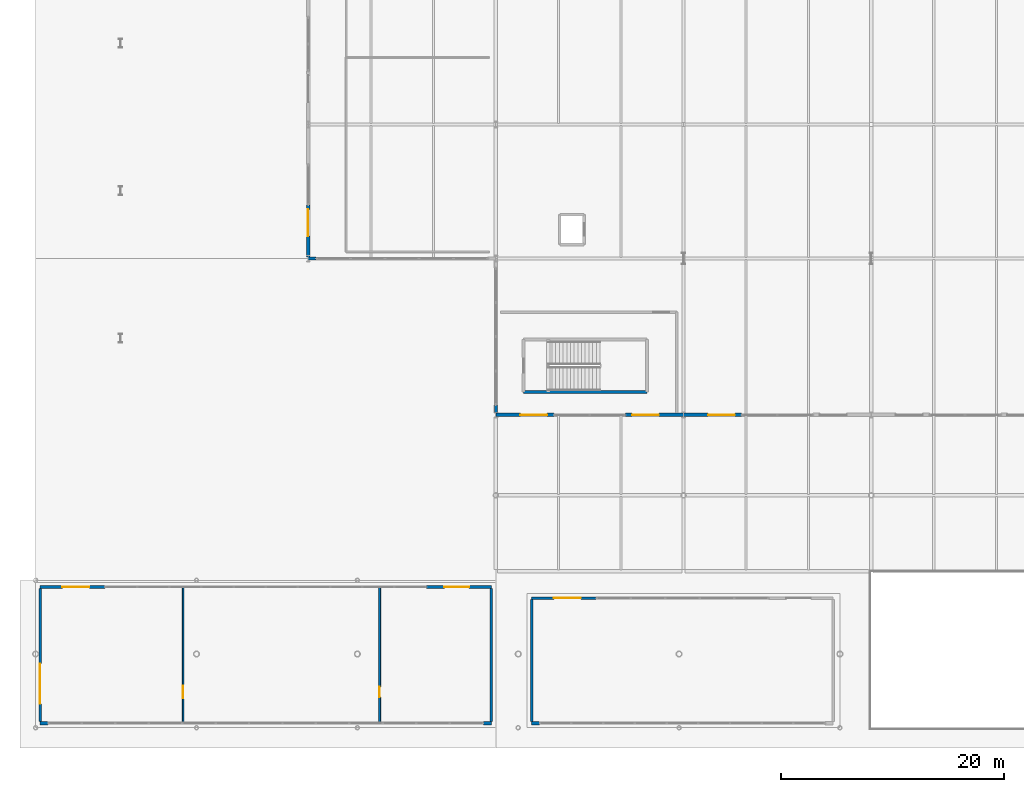
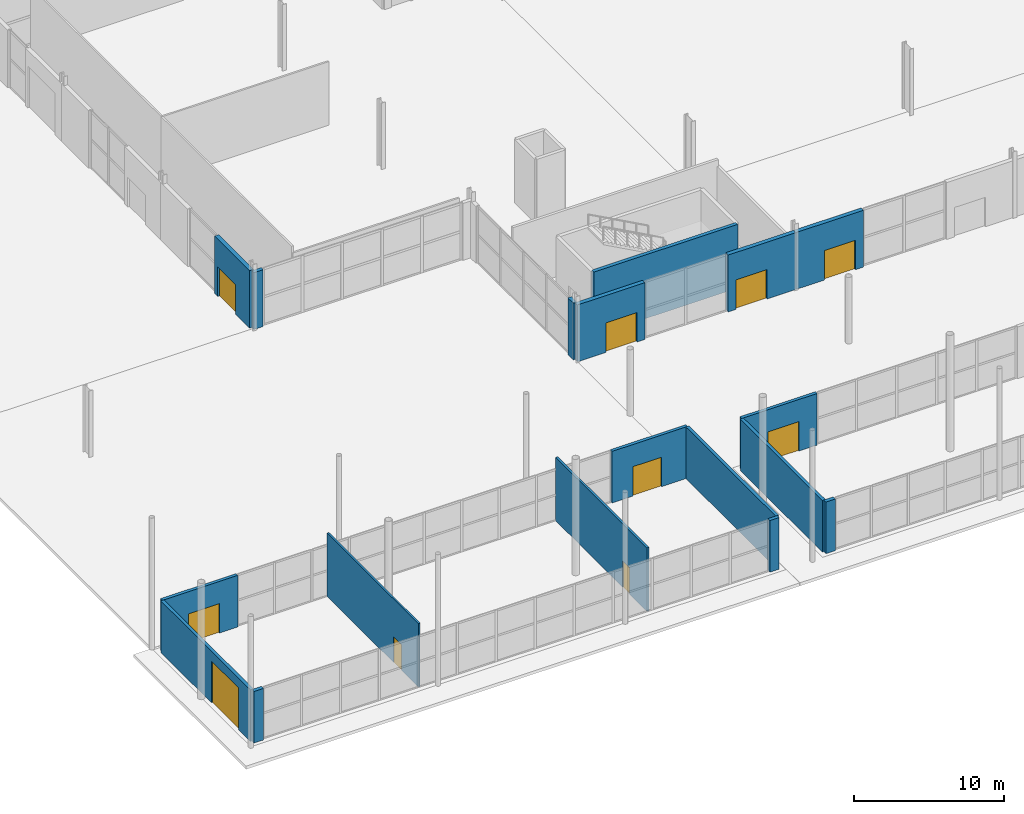
# One storey, part 60 of 87: 18 walls, 10 doors, 10 openings.
"""IFC4 building model written with IfcOpenShell, lengths in metres."""

import ifcopenshell
import ifcopenshell.guid

model = None  # the IFC model being written
_history = None  # IfcOwnerHistory: only IFC2X3 demands one
_inside = {}  # id of a spatial element -> (the spatial element, [elements in it])
_under = {}  # id of a project, library or spatial element -> (it, [spatial elements below it])
_declared = {}  # id of a project -> (the project, [libraries it declares])
_typed = {}  # id of a type object -> (the type object, [elements of that type])
_made_of = {}  # id of a material, layer set ... -> (it, [elements and type objects made of it])


def new_model(schema):
    """Start an empty IFC model of exactly this schema.

    Asked for "IFC4X3", IfcOpenShell would pick the latest addendum, in which some entities
    have other attributes; the version numbers below select the first issue.
    IFC2X3 requires an IfcOwnerHistory on every rooted entity: one is made here for all.
    """
    global model, _history
    if schema == "IFC4X3":
        model = ifcopenshell.file(schema_version=(4, 3, 0, 0))
    else:
        model = ifcopenshell.file(schema=schema)
    _inside.clear()
    _under.clear()
    _declared.clear()
    _typed.clear()
    _made_of.clear()
    _history = None
    if model.schema == "IFC2X3":
        org = make("IfcOrganization", Name="unknown")
        user = make(
            "IfcPersonAndOrganization",
            ThePerson=make("IfcPerson", FamilyName="unknown"),
            TheOrganization=org,
        )
        app = make(
            "IfcApplication",
            ApplicationDeveloper=org,
            Version="unknown",
            ApplicationFullName="unknown",
            ApplicationIdentifier="unknown",
        )
        _history = make(
            "IfcOwnerHistory",
            OwningUser=user,
            OwningApplication=app,
            ChangeAction="ADDED",
            CreationDate=0,
        )
    return model


def make(cls, **values):
    """One entity of the class cls with the attributes given. An attribute that is None is left unset."""
    return model.create_entity(
        cls, **{name: value for name, value in values.items() if value is not None}
    )


def rooted(cls, **values):
    """An entity with a GlobalId (a new one), such as an element, a storey or a relation."""
    return make(cls, GlobalId=ifcopenshell.guid.new(), OwnerHistory=_history, **values)


def si_unit(unit_type, name, prefix=None):
    """IfcSIUnit, for example si_unit("LENGTHUNIT", "METRE", prefix="MILLI")."""
    return make("IfcSIUnit", UnitType=unit_type, Prefix=prefix, Name=name)


def assignment(units):
    """IfcUnitAssignment: the units of a project."""
    return None if units is None else make("IfcUnitAssignment", Units=units)


def point(xyz):
    """IfcCartesianPoint."""
    return None if xyz is None else make("IfcCartesianPoint", Coordinates=xyz)


def direction(xyz):
    """IfcDirection."""
    return None if xyz is None else make("IfcDirection", DirectionRatios=xyz)


def frame(location, z_axis=None, x_axis=None):
    """IfcAxis2Placement3D, a coordinate frame: its origin and axes. An axis left out is left unset."""
    return make(
        "IfcAxis2Placement3D",
        Location=point(location),
        Axis=direction(z_axis),
        RefDirection=direction(x_axis),
    )


def frame_2d(location, x_axis=None):
    """IfcAxis2Placement2D, a coordinate frame in the plane: its origin and x axis."""
    return make(
        "IfcAxis2Placement2D", Location=point(location), RefDirection=direction(x_axis)
    )


def origin():
    """The frame at (0, 0, 0) with its axes left unset."""
    return frame((0.0, 0.0, 0.0))


def place(relative_to, where):
    """IfcLocalPlacement: puts the frame where relative to a parent placement (None: the world)."""
    return make(
        "IfcLocalPlacement", PlacementRelTo=relative_to, RelativePlacement=where
    )


def context(
    kind, dimensions, precision=None, world=None, true_north=None, identifier=None
):
    """IfcGeometricRepresentationContext, for example the 3D "Model" context."""
    return make(
        "IfcGeometricRepresentationContext",
        ContextIdentifier=identifier,
        ContextType=kind,
        CoordinateSpaceDimension=dimensions,
        Precision=precision,
        WorldCoordinateSystem=world,
        TrueNorth=true_north,
    )


def subcontext(parent, identifier, kind, view, scale=None):
    """IfcGeometricRepresentationSubContext, for example "Body" below "Model"."""
    return make(
        "IfcGeometricRepresentationSubContext",
        ContextIdentifier=identifier,
        ContextType=kind,
        ParentContext=parent,
        TargetScale=scale,
        TargetView=view,
    )


def project(units=None, contexts=None):
    """IfcProject with its units and contexts."""
    return rooted(
        "IfcProject",
        Name="project",
        RepresentationContexts=contexts,
        UnitsInContext=assignment(units),
    )


def spatial(cls, under=None, at=None, **own):
    """A site, building, storey or space (cls), placed at a placement, below another one or the project."""
    s = rooted(cls, ObjectPlacement=at, **own)
    if under is not None:
        _under.setdefault(under.id(), (under, []))[1].append(s)
    return s


def profile(cls, at=None, kind="AREA", **sizes):
    """A parametric profile (cls). Its sizes go by their IFC names, for example OverallWidth=200.0."""
    return make(cls, ProfileType=kind, Position=at, **sizes)


def rectangle(**sizes):
    """IfcRectangleProfileDef."""
    return profile("IfcRectangleProfileDef", **sizes)


def extrude(swept, where, along, depth):
    """IfcExtrudedAreaSolid: the profile swept, set in the frame where, extruded along a direction by depth."""
    return make(
        "IfcExtrudedAreaSolid",
        SweptArea=swept,
        Position=where,
        ExtrudedDirection=direction(along),
        Depth=depth,
    )


def shape(context_of_items, identifier, shape_type, items):
    """IfcShapeRepresentation: the items that make up one representation, for example the "Body"."""
    return make(
        "IfcShapeRepresentation",
        ContextOfItems=context_of_items,
        RepresentationIdentifier=identifier,
        RepresentationType=shape_type,
        Items=items,
    )


def material(Name=None, Category=None):
    """IfcMaterial."""
    return make("IfcMaterial", Name=Name, Category=Category)


def layer(
    of_material, thickness, ventilated=None, Name=None, Category=None, Priority=None
):
    """IfcMaterialLayer: one layer of a wall or slab, of a material (None: an air gap)."""
    return make(
        "IfcMaterialLayer",
        Material=of_material,
        LayerThickness=thickness,
        IsVentilated=ventilated,
        Name=Name,
        Category=Category,
        Priority=Priority,
    )


def layer_set(layers, Name=None):
    """IfcMaterialLayerSet."""
    return make("IfcMaterialLayerSet", MaterialLayers=layers, LayerSetName=Name)


def made_of(thing, what):
    """Note that an element or type object is made of a material, layer set ...; save() writes the relation."""
    if what is not None:
        _made_of.setdefault(what.id(), (what, []))[1].append(thing)
    return thing


def type_object(cls, material=None, **own):
    """A type object (cls), such as IfcWallType, which elements share."""
    return made_of(rooted(cls, **own), material)


def element(
    cls,
    number,
    at=None,
    inside=None,
    cuts=None,
    type_object=None,
    material=None,
    context=None,
    identifier="Body",
    shape_type=None,
    held_by="IfcProductDefinitionShape",
    body=None,
    shapes=None,
    **own,
):
    """One element of the class cls, such as IfcWall. Its Tag is "e" and its number.

    at: its placement. inside: the storey or other place that contains it. cuts: it is an
    opening in that element (IfcRelVoidsElement). A single representation is given by context,
    identifier, shape_type and body (its items); several are given by shapes. held_by: the class
    of the entity that holds the representations. save() writes the other relations.
    """
    e = rooted(cls, Tag="e%d" % number, ObjectPlacement=at, **own)
    if body is not None:
        shapes = [shape(context, identifier, shape_type, body)]
    if shapes is not None:
        e.Representation = make(held_by, Representations=shapes)
    if inside is not None:
        _inside.setdefault(inside.id(), (inside, []))[1].append(e)
    if cuts is not None:
        rooted(
            "IfcRelVoidsElement", RelatingBuildingElement=cuts, RelatedOpeningElement=e
        )
    if type_object is not None:
        _typed.setdefault(type_object.id(), (type_object, []))[1].append(e)
    return made_of(e, material)


def fill(opening, filler):
    """IfcRelFillsElement: the door or window that sits in an opening."""
    return rooted(
        "IfcRelFillsElement",
        RelatingOpeningElement=opening,
        RelatedBuildingElement=filler,
    )


def aggregate(whole, parts):
    """IfcRelAggregates: a whole, such as a stair, and the parts it consists of."""
    return rooted("IfcRelAggregates", RelatingObject=whole, RelatedObjects=parts)


def save(model, path):
    """Write the relations noted so far, then the file.

    IfcRelAggregates (storeys below a building ...), IfcRelContainedInSpatialStructure (elements
    in a storey), IfcRelDefinesByType, IfcRelAssociatesMaterial and IfcRelDeclares: one each for
    every whole, place, type object, material and project.
    """
    for whole, parts in _under.values():
        aggregate(whole, parts)
    for where, things in _inside.values():
        rooted(
            "IfcRelContainedInSpatialStructure",
            RelatedElements=things,
            RelatingStructure=where,
        )
    for kind, things in _typed.values():
        rooted("IfcRelDefinesByType", RelatedObjects=things, RelatingType=kind)
    for what, things in _made_of.values():
        rooted("IfcRelAssociatesMaterial", RelatedObjects=things, RelatingMaterial=what)
    for by, libraries in _declared.values():
        rooted("IfcRelDeclares", RelatingContext=by, RelatedDefinitions=libraries)
    model.write(path)


model = new_model("IFC4")

# Units and contexts
model_context = context("Model", 3, precision=1e-05, world=origin(), true_north=direction((0.0, 1.0)))
body_context = subcontext(model_context, "Body", "Model", "MODEL_VIEW")
ifc_project = project(units=[si_unit("LENGTHUNIT", "METRE"), si_unit("AREAUNIT", "SQUARE_METRE"), si_unit("VOLUMEUNIT", "CUBIC_METRE"), si_unit("PLANEANGLEUNIT", "RADIAN"), si_unit("MASSUNIT", "GRAM", prefix="KILO")], contexts=[model_context])

# Site, building, storey
site_placement = place(None, origin())
site = spatial("IfcSite", under=ifc_project, at=site_placement, CompositionType="ELEMENT")
building_placement = place(site_placement, origin())
building = spatial("IfcBuilding", under=site, at=building_placement, Name="Kimbaza Rail Terminus", CompositionType="ELEMENT")
storey_placement = place(building_placement, origin())
storey = spatial("IfcBuildingStorey", under=building, at=storey_placement, Name="L00", CompositionType="ELEMENT", Elevation=0.0)

# Wall, opening, door
ifc_material_1 = material(Name="Concrete blockwork C30/37", Category="masonry")
ifc_layer_1 = layer(ifc_material_1, 0.239990234375)
ifc_layer_set_1 = layer_set([ifc_layer_1], Name="Concrete blockwork C30/37")
wall_type_1 = type_object("IfcWallType", Name="ARC-WL-EXT240", PredefinedType="STANDARD", material=ifc_layer_set_1)
wall_1_placement = place(storey_placement, frame((14.39990234375, 25.60009765625, 0.0), z_axis=(0.0, 0.0, 1.0), x_axis=(1.0, 0.0, 0.0)))
wall_1 = element("IfcWall", 1, at=wall_1_placement, inside=storey, type_object=wall_type_1, Name="Bus Dispatch Hub North Wall A", PredefinedType="STANDARD", context=body_context, shape_type="SweptSolid", body=[
    extrude(rectangle(XDim=5.800048828125, YDim=0.239990234375, at=frame_2d((2.89990234375, 0.0))), origin(), (0.0, 0.0, 1.0), 4.199951171875),
])
opening_1_placement = place(wall_1_placement, frame((2.0, 0.0, 0.0)))
opening_1 = element("IfcOpeningElement", 2, at=opening_1_placement, cuts=wall_1, Name="Opening D-EX1", PredefinedType="OPENING", context=body_context, shape_type="SweptSolid", body=[
    extrude(rectangle(XDim=2.39990234375, YDim=2.39990234375, at=frame_2d((1.199951171875, 1.199951171875))), frame((0.0, 0.1298828125, 0.0), z_axis=(0.0, -1.0, 0.0), x_axis=(1.0, 0.0, 0.0)), (0.0, 0.0, 1.0), 0.260009765625),
])
ifc_material_2 = material(Name="Anodised aluminium and toughened safety glass", Category="aluminium")
door_type_1 = type_object("IfcDoorType", Name="ARC-DR-EX240", OperationType="NOTDEFINED", PredefinedType="DOOR", material=ifc_material_2)
door_1_placement = place(opening_1_placement, origin())
door_1 = element("IfcDoor", 3, at=door_1_placement, inside=storey, type_object=door_type_1, Name="DR-EX-K1A", OperationType="SINGLE_SWING_LEFT", OverallHeight=2.39990234375, OverallWidth=2.39990234375, PredefinedType="DOOR", context=body_context, shape_type="SweptSolid", body=[
    extrude(rectangle(XDim=2.39990234375, YDim=2.39990234375, at=frame_2d((1.199951171875, 1.199951171875))), frame((0.0, 0.02490234375, 0.0), z_axis=(0.0, -1.0, 0.0), x_axis=(1.0, 0.0, 0.0)), (0.0, 0.0, 1.0), 0.050048828125),
])
fill(opening_1, door_1)

wall_2_placement = place(storey_placement, frame((49.0, 25.60009765625, 0.0), z_axis=(0.0, 0.0, 1.0), x_axis=(1.0, 0.0, 0.0)))
wall_2 = element("IfcWall", 4, at=wall_2_placement, inside=storey, type_object=wall_type_1, Name="Bus Dispatch Hub North Wall B", PredefinedType="STANDARD", context=body_context, shape_type="SweptSolid", body=[
    extrude(rectangle(XDim=5.800048828125, YDim=0.239990234375, at=frame_2d((2.89990234375, 0.0))), origin(), (0.0, 0.0, 1.0), 4.199951171875),
])
opening_2_placement = place(wall_2_placement, frame((1.60009765625, 0.0, 0.0)))
opening_2 = element("IfcOpeningElement", 5, at=opening_2_placement, cuts=wall_2, Name="Opening D-EX2", PredefinedType="OPENING", context=body_context, shape_type="SweptSolid", body=[
    extrude(rectangle(XDim=2.199951171875, YDim=2.39990234375, at=frame_2d((1.10009765625, 1.199951171875))), frame((0.0, 0.1298828125, 0.0), z_axis=(0.0, -1.0, 0.0), x_axis=(1.0, 0.0, 0.0)), (0.0, 0.0, 1.0), 0.260009765625),
])
ifc_material_3 = material(Name="Anodised aluminium and toughened safety glass", Category="aluminium")
door_type_2 = type_object("IfcDoorType", Name="ARC-DR-EX220", OperationType="NOTDEFINED", PredefinedType="DOOR", material=ifc_material_3)
door_2_placement = place(opening_2_placement, origin())
door_2 = element("IfcDoor", 6, at=door_2_placement, inside=storey, type_object=door_type_2, Name="DR-EX-K1B", OperationType="SINGLE_SWING_RIGHT", OverallHeight=2.39990234375, OverallWidth=2.199951171875, PredefinedType="DOOR", context=body_context, shape_type="SweptSolid", body=[
    extrude(rectangle(XDim=2.199951171875, YDim=2.39990234375, at=frame_2d((1.10009765625, 1.199951171875))), frame((0.0, 0.02490234375, 0.0), z_axis=(0.0, -1.0, 0.0), x_axis=(1.0, 0.0, 0.0)), (0.0, 0.0, 1.0), 0.050048828125),
])
fill(opening_2, door_2)

wall_3_placement = place(storey_placement, frame((14.39990234375, 13.5400390625, 0.0), z_axis=(0.0, 0.0, 1.0), x_axis=(0.0, 1.0, 0.0)))
wall_3 = element("IfcWall", 7, at=wall_3_placement, inside=storey, type_object=wall_type_1, Name="Bus Dispatch Hub West Wall", PredefinedType="STANDARD", context=body_context, shape_type="SweptSolid", body=[
    extrude(rectangle(XDim=11.93994140625, YDim=0.239990234375, at=frame_2d((5.969970703125, 0.0))), origin(), (0.0, 0.0, 1.0), 4.199951171875),
])
opening_3_placement = place(wall_3_placement, frame((1.60009765625, 0.0, 0.0)))
opening_3 = element("IfcOpeningElement", 8, at=opening_3_placement, cuts=wall_3, Name="Opening D-GT2", PredefinedType="OPENING", context=body_context, shape_type="SweptSolid", body=[
    extrude(rectangle(XDim=3.60009765625, YDim=3.39990234375, at=frame_2d((1.800048828125, 1.699951171875))), frame((0.0, 0.1298828125, 0.0), z_axis=(0.0, -1.0, 0.0), x_axis=(1.0, 0.0, 0.0)), (0.0, 0.0, 1.0), 0.260009765625),
])
ifc_material_4 = material(Name="Galvanised steel baggage service shutter", Category="steel")
door_type_3 = type_object("IfcDoorType", Name="ARC-DR-GAT36", OperationType="NOTDEFINED", PredefinedType="GATE", material=ifc_material_4)
door_3_placement = place(opening_3_placement, origin())
door_3 = element("IfcDoor", 9, at=door_3_placement, inside=storey, type_object=door_type_3, Name="DR-GAT-V3BUS", OperationType="ROLLINGUP", OverallHeight=3.39990234375, OverallWidth=3.60009765625, PredefinedType="GATE", context=body_context, shape_type="SweptSolid", body=[
    extrude(rectangle(XDim=3.60009765625, YDim=3.39990234375, at=frame_2d((1.800048828125, 1.699951171875))), frame((0.0, 0.02490234375, 0.0), z_axis=(0.0, -1.0, 0.0), x_axis=(1.0, 0.0, 0.0)), (0.0, 0.0, 1.0), 0.050048828125),
])
fill(opening_3, door_3)

# Wall
wall_4_placement = place(storey_placement, frame((54.800048828125, 13.5400390625, 0.0), z_axis=(0.0, 0.0, 1.0), x_axis=(0.0, 1.0, 0.0)))
element("IfcWall", 10, at=wall_4_placement, inside=storey, type_object=wall_type_1, Name="Bus Dispatch Hub East Wall", PredefinedType="STANDARD", context=body_context, shape_type="SweptSolid", body=[
    extrude(rectangle(XDim=11.93994140625, YDim=0.239990234375, at=frame_2d((5.969970703125, 0.0))), origin(), (0.0, 0.0, 1.0), 4.199951171875),
])

# Wall, opening, door
wall_5_placement = place(storey_placement, frame((58.39990234375, 24.60009765625, 0.0), z_axis=(0.0, 0.0, 1.0), x_axis=(1.0, 0.0, 0.0)))
wall_5 = element("IfcWall", 11, at=wall_5_placement, inside=storey, type_object=wall_type_1, Name="Taxi Waiting Pavilion North Wall A", PredefinedType="STANDARD", context=body_context, shape_type="SweptSolid", body=[
    extrude(rectangle(XDim=5.800048828125, YDim=0.239990234375, at=frame_2d((2.89990234375, 0.0))), origin(), (0.0, 0.0, 1.0), 4.199951171875),
])
opening_4_placement = place(wall_5_placement, frame((2.0, 0.0, 0.0)))
opening_4 = element("IfcOpeningElement", 12, at=opening_4_placement, cuts=wall_5, Name="Opening D-EX1", PredefinedType="OPENING", context=body_context, shape_type="SweptSolid", body=[
    extrude(rectangle(XDim=2.39990234375, YDim=2.39990234375, at=frame_2d((1.199951171875, 1.199951171875))), frame((0.0, 0.1298828125, 0.0), z_axis=(0.0, -1.0, 0.0), x_axis=(1.0, 0.0, 0.0)), (0.0, 0.0, 1.0), 0.260009765625),
])
door_4_placement = place(opening_4_placement, origin())
door_4 = element("IfcDoor", 13, at=door_4_placement, inside=storey, type_object=door_type_1, Name="DR-EX-K2A", OperationType="SINGLE_SWING_LEFT", OverallHeight=2.39990234375, OverallWidth=2.39990234375, PredefinedType="DOOR", context=body_context, shape_type="SweptSolid", body=[
    extrude(rectangle(XDim=2.39990234375, YDim=2.39990234375, at=frame_2d((1.199951171875, 1.199951171875))), frame((0.0, 0.02490234375, 0.0), z_axis=(0.0, -1.0, 0.0), x_axis=(1.0, 0.0, 0.0)), (0.0, 0.0, 1.0), 0.050048828125),
])
fill(opening_4, door_4)

# Walls
wall_6_placement = place(storey_placement, frame((58.39990234375, 13.5400390625, 0.0), z_axis=(0.0, 0.0, 1.0), x_axis=(0.0, 1.0, 0.0)))
element("IfcWall", 14, at=wall_6_placement, inside=storey, type_object=wall_type_1, Name="Taxi Waiting Pavilion West Wall", PredefinedType="STANDARD", context=body_context, shape_type="SweptSolid", body=[
    extrude(rectangle(XDim=10.93994140625, YDim=0.239990234375, at=frame_2d((5.469970703125, 0.0))), origin(), (0.0, 0.0, 1.0), 4.199951171875),
])
ifc_material_5 = material(Name="Precast concrete C40/50", Category="concrete")
ifc_layer_2 = layer(ifc_material_5, 0.280029296875)
ifc_layer_set_2 = layer_set([ifc_layer_2], Name="Precast concrete C40/50")
wall_type_2 = type_object("IfcWallType", Name="ARC-WL-EXT280", PredefinedType="STANDARD", material=ifc_layer_set_2)
wall_7_placement = place(storey_placement, frame((55.199951171875, 41.159912109375, 0.0), z_axis=(0.0, 0.0, 1.0), x_axis=(0.0, 1.0, 0.0)))
element("IfcWall", 15, at=wall_7_placement, inside=storey, type_object=wall_type_2, Name="Concourse W Return Curtain Wall L00 Corner Pier A", PredefinedType="STANDARD", context=body_context, shape_type="SweptSolid", body=[
    extrude(rectangle(XDim=0.719970703125, YDim=0.280029296875, at=frame_2d((0.35986328125, 0.0))), origin(), (0.0, 0.0, 1.0), 4.625),
])
wall_8_placement = place(storey_placement, frame((38.39990234375, 55.0, 0.0), z_axis=(0.0, 0.0, 1.0), x_axis=(1.0, 0.0, 0.0)))
element("IfcWall", 16, at=wall_8_placement, inside=storey, type_object=wall_type_2, Name="Ticket Hall Wing W Curtain Wall L00.1 Corner Pier A", PredefinedType="STANDARD", context=body_context, shape_type="SweptSolid", body=[
    extrude(rectangle(XDim=0.72021484375, YDim=0.280029296875, at=frame_2d((0.360107421875, 0.0))), origin(), (0.0, 0.0, 1.0), 4.625),
])
wall_9_placement = place(storey_placement, frame((14.39990234375, 13.39990234375, 0.0), z_axis=(0.0, 0.0, 1.0), x_axis=(1.0, 0.0, 0.0)))
element("IfcWall", 17, at=wall_9_placement, inside=storey, type_object=wall_type_2, Name="Bus Dispatch Hub South Curtain Wall Corner Pier A", PredefinedType="STANDARD", context=body_context, shape_type="SweptSolid", body=[
    extrude(rectangle(XDim=0.72021484375, YDim=0.280029296875, at=frame_2d((0.360107421875, 0.0))), origin(), (0.0, 0.0, 1.0), 4.199951171875),
])
wall_10_placement = place(storey_placement, frame((54.080078125, 13.39990234375, 0.0), z_axis=(0.0, 0.0, 1.0), x_axis=(1.0, 0.0, 0.0)))
element("IfcWall", 18, at=wall_10_placement, inside=storey, type_object=wall_type_2, Name="Bus Dispatch Hub South Curtain Wall Corner Pier B", PredefinedType="STANDARD", context=body_context, shape_type="SweptSolid", body=[
    extrude(rectangle(XDim=0.719970703125, YDim=0.280029296875, at=frame_2d((0.35986328125, 0.0))), origin(), (0.0, 0.0, 1.0), 4.199951171875),
])
wall_11_placement = place(storey_placement, frame((58.39990234375, 13.39990234375, 0.0), z_axis=(0.0, 0.0, 1.0), x_axis=(1.0, 0.0, 0.0)))
element("IfcWall", 19, at=wall_11_placement, inside=storey, type_object=wall_type_2, Name="Taxi Waiting Pavilion South Curtain Wall Corner Pier A", PredefinedType="STANDARD", context=body_context, shape_type="SweptSolid", body=[
    extrude(rectangle(XDim=0.72021484375, YDim=0.280029296875, at=frame_2d((0.360107421875, 0.0))), origin(), (0.0, 0.0, 1.0), 4.199951171875),
])

# Wall, opening, door
ifc_material_6 = material(Name="Precast concrete C40/50", Category="concrete")
ifc_layer_3 = layer(ifc_material_6, 0.320068359375)
ifc_layer_set_3 = layer_set([ifc_layer_3], Name="Precast concrete C40/50")
wall_type_3 = type_object("IfcWallType", Name="ARC-WL-EXT320", PredefinedType="STANDARD", material=ifc_layer_set_3)
wall_12_placement = place(storey_placement, frame((55.199951171875, 41.0, 0.0), z_axis=(0.0, 0.0, 1.0), x_axis=(1.0, 0.0, 0.0)))
wall_12 = element("IfcWall", 20, at=wall_12_placement, inside=storey, type_object=wall_type_3, Name="South Concourse Entrance Portal 1A", PredefinedType="STANDARD", context=body_context, shape_type="SweptSolid", body=[
    extrude(rectangle(XDim=5.199951171875, YDim=0.320068359375, at=frame_2d((2.60009765625, 0.0))), origin(), (0.0, 0.0, 1.0), 4.625),
])
opening_5_placement = place(wall_12_placement, frame((4.599853515625, 0.0, 0.0), z_axis=(0.0, 0.0, 1.0), x_axis=(-1.0, 0.0, 0.0)))
opening_5 = element("IfcOpeningElement", 21, at=opening_5_placement, cuts=wall_12, Name="Opening D-EX1", PredefinedType="OPENING", context=body_context, shape_type="SweptSolid", body=[
    extrude(rectangle(XDim=2.39990234375, YDim=2.39990234375, at=frame_2d((1.199951171875, 1.199951171875))), frame((0.0, 0.169921875, 0.0), z_axis=(0.0, -1.0, 0.0), x_axis=(1.0, 0.0, 0.0)), (0.0, 0.0, 1.0), 0.340087890625),
])
door_5_placement = place(opening_5_placement, origin())
door_5 = element("IfcDoor", 22, at=door_5_placement, inside=storey, type_object=door_type_1, Name="DR-EX-S01", OperationType="SINGLE_SWING_RIGHT", OverallHeight=2.39990234375, OverallWidth=2.39990234375, PredefinedType="DOOR", context=body_context, shape_type="SweptSolid", body=[
    extrude(rectangle(XDim=2.39990234375, YDim=2.39990234375, at=frame_2d((1.199951171875, 1.199951171875))), frame((0.0, 0.02490234375, 0.0), z_axis=(0.0, -1.0, 0.0), x_axis=(1.0, 0.0, 0.0)), (0.0, 0.0, 1.0), 0.050048828125),
])
fill(opening_5, door_5)

wall_13_placement = place(storey_placement, frame((66.800048828125, 41.0, 0.0), z_axis=(0.0, 0.0, 1.0), x_axis=(1.0, 0.0, 0.0)))
wall_13 = element("IfcWall", 23, at=wall_13_placement, inside=storey, type_object=wall_type_3, Name="South Concourse Entrance Portal 1B", PredefinedType="STANDARD", context=body_context, shape_type="SweptSolid", body=[
    extrude(rectangle(XDim=5.199951171875, YDim=0.320068359375, at=frame_2d((2.60009765625, 0.0))), origin(), (0.0, 0.0, 1.0), 4.625),
])
opening_6_placement = place(wall_13_placement, frame((3.0, 0.0, 0.0), z_axis=(0.0, 0.0, 1.0), x_axis=(-1.0, 0.0, 0.0)))
opening_6 = element("IfcOpeningElement", 24, at=opening_6_placement, cuts=wall_13, Name="Opening D-EX1", PredefinedType="OPENING", context=body_context, shape_type="SweptSolid", body=[
    extrude(rectangle(XDim=2.39990234375, YDim=2.39990234375, at=frame_2d((1.199951171875, 1.199951171875))), frame((0.0, 0.169921875, 0.0), z_axis=(0.0, -1.0, 0.0), x_axis=(1.0, 0.0, 0.0)), (0.0, 0.0, 1.0), 0.340087890625),
])
door_6_placement = place(opening_6_placement, origin())
door_6 = element("IfcDoor", 25, at=door_6_placement, inside=storey, type_object=door_type_1, Name="DR-EX-S02", OperationType="SINGLE_SWING_LEFT", OverallHeight=2.39990234375, OverallWidth=2.39990234375, PredefinedType="DOOR", context=body_context, shape_type="SweptSolid", body=[
    extrude(rectangle(XDim=2.39990234375, YDim=2.39990234375, at=frame_2d((1.199951171875, 1.199951171875))), frame((0.0, 0.02490234375, 0.0), z_axis=(0.0, -1.0, 0.0), x_axis=(1.0, 0.0, 0.0)), (0.0, 0.0, 1.0), 0.050048828125),
])
fill(opening_6, door_6)

wall_14_placement = place(storey_placement, frame((72.0, 41.0, 0.0), z_axis=(0.0, 0.0, 1.0), x_axis=(1.0, 0.0, 0.0)))
wall_14 = element("IfcWall", 26, at=wall_14_placement, inside=storey, type_object=wall_type_3, Name="South Concourse Entrance Portal 2A", PredefinedType="STANDARD", context=body_context, shape_type="SweptSolid", body=[
    extrude(rectangle(XDim=5.199951171875, YDim=0.320068359375, at=frame_2d((2.60009765625, 0.0))), origin(), (0.0, 0.0, 1.0), 4.625),
])
opening_7_placement = place(wall_14_placement, frame((4.599853515625, 0.0, 0.0), z_axis=(0.0, 0.0, 1.0), x_axis=(-1.0, 0.0, 0.0)))
opening_7 = element("IfcOpeningElement", 27, at=opening_7_placement, cuts=wall_14, Name="Opening D-EX1", PredefinedType="OPENING", context=body_context, shape_type="SweptSolid", body=[
    extrude(rectangle(XDim=2.39990234375, YDim=2.39990234375, at=frame_2d((1.199951171875, 1.199951171875))), frame((0.0, 0.169921875, 0.0), z_axis=(0.0, -1.0, 0.0), x_axis=(1.0, 0.0, 0.0)), (0.0, 0.0, 1.0), 0.340087890625),
])
door_7_placement = place(opening_7_placement, origin())
door_7 = element("IfcDoor", 28, at=door_7_placement, inside=storey, type_object=door_type_1, Name="DR-EX-S03", OperationType="SINGLE_SWING_RIGHT", OverallHeight=2.39990234375, OverallWidth=2.39990234375, PredefinedType="DOOR", context=body_context, shape_type="SweptSolid", body=[
    extrude(rectangle(XDim=2.39990234375, YDim=2.39990234375, at=frame_2d((1.199951171875, 1.199951171875))), frame((0.0, 0.02490234375, 0.0), z_axis=(0.0, -1.0, 0.0), x_axis=(1.0, 0.0, 0.0)), (0.0, 0.0, 1.0), 0.050048828125),
])
fill(opening_7, door_7)

wall_15_placement = place(storey_placement, frame((38.39990234375, 55.139892578125, 0.0), z_axis=(0.0, 0.0, 1.0), x_axis=(0.0, 1.0, 0.0)))
wall_15 = element("IfcWall", 29, at=wall_15_placement, inside=storey, type_object=wall_type_3, Name="Ticket Hall W Flank Wall L00.1", PredefinedType="STANDARD", context=body_context, shape_type="SweptSolid", body=[
    extrude(rectangle(XDim=4.66015625, YDim=0.320068359375, at=frame_2d((2.330078125, 0.0))), origin(), (0.0, 0.0, 1.0), 4.675048828125),
])
opening_8_placement = place(wall_15_placement, frame((1.860107421875, 0.0, 0.0)))
opening_8 = element("IfcOpeningElement", 30, at=opening_8_placement, cuts=wall_15, Name="Opening D-EX1", PredefinedType="OPENING", context=body_context, shape_type="SweptSolid", body=[
    extrude(rectangle(XDim=2.39990234375, YDim=2.39990234375, at=frame_2d((1.199951171875, 1.199951171875))), frame((0.0, 0.169921875, 0.0), z_axis=(0.0, -1.0, 0.0), x_axis=(1.0, 0.0, 0.0)), (0.0, 0.0, 1.0), 0.340087890625),
])
door_8_placement = place(opening_8_placement, origin())
door_8 = element("IfcDoor", 31, at=door_8_placement, inside=storey, type_object=door_type_1, Name="DR-EX-W1", OperationType="SINGLE_SWING_RIGHT", OverallHeight=2.39990234375, OverallWidth=2.39990234375, PredefinedType="DOOR", context=body_context, shape_type="SweptSolid", body=[
    extrude(rectangle(XDim=2.39990234375, YDim=2.39990234375, at=frame_2d((1.199951171875, 1.199951171875))), frame((0.0, 0.02490234375, 0.0), z_axis=(0.0, -1.0, 0.0), x_axis=(1.0, 0.0, 0.0)), (0.0, 0.0, 1.0), 0.050048828125),
])
fill(opening_8, door_8)

ifc_material_7 = material(Name="Acoustic gypsum stud partition", Category="gypsum")
ifc_layer_4 = layer(ifc_material_7, 0.139892578125)
ifc_layer_set_4 = layer_set([ifc_layer_4], Name="Acoustic gypsum stud partition")
wall_type_4 = type_object("IfcWallType", Name="ARC-WL-PART140", PredefinedType="PARTITIONING", material=ifc_layer_set_4)
wall_16_placement = place(storey_placement, frame((27.199951171875, 13.419921875, 0.0), z_axis=(0.0, 0.0, 1.0), x_axis=(0.0, 1.0, 0.0)))
wall_16 = element("IfcWall", 32, at=wall_16_placement, inside=storey, type_object=wall_type_4, Name="Bus Rapid Transit Dispatch Office Partition (east)", PredefinedType="PARTITIONING", context=body_context, shape_type="SweptSolid", body=[
    extrude(rectangle(XDim=12.16015625, YDim=0.139892578125, at=frame_2d((6.080078125, 0.0))), origin(), (0.0, 0.0, 1.0), 5.159912109375),
])
opening_9_placement = place(wall_16_placement, frame((2.239990234375, 0.0, 0.0)))
opening_9 = element("IfcOpeningElement", 33, at=opening_9_placement, cuts=wall_16, Name="Opening ID-09", PredefinedType="OPENING", context=body_context, shape_type="SweptSolid", body=[
    extrude(rectangle(XDim=1.080078125, YDim=2.10009765625, at=frame_2d((0.5400390625, 1.050048828125))), frame((0.0, 0.079833984375, 0.0), z_axis=(0.0, -1.0, 0.0), x_axis=(1.0, 0.0, 0.0)), (0.0, 0.0, 1.0), 0.159912109375),
])
ifc_material_8 = material(Name="Signalling technical suite door", Category="steel")
door_type_4 = type_object("IfcDoorType", Name="ARC-DR-ID108", OperationType="NOTDEFINED", PredefinedType="DOOR", material=ifc_material_8)
door_9_placement = place(opening_9_placement, origin())
door_9 = element("IfcDoor", 34, at=door_9_placement, inside=storey, type_object=door_type_4, Name="IDR-SPC-V3-BUS", OperationType="SINGLE_SWING_LEFT", OverallHeight=2.10009765625, OverallWidth=1.080078125, PredefinedType="DOOR", context=body_context, shape_type="SweptSolid", body=[
    extrude(rectangle(XDim=1.080078125, YDim=2.10009765625, at=frame_2d((0.5400390625, 1.050048828125))), frame((0.0, 0.02490234375, 0.0), z_axis=(0.0, -1.0, 0.0), x_axis=(1.0, 0.0, 0.0)), (0.0, 0.0, 1.0), 0.050048828125),
])
fill(opening_9, door_9)

ifc_material_9 = material(Name="Moisture-resistant blockwork C25/30", Category="masonry")
ifc_layer_5 = layer(ifc_material_9, 0.169921875)
ifc_layer_set_5 = layer_set([ifc_layer_5], Name="Moisture-resistant blockwork C25/30")
wall_type_5 = type_object("IfcWallType", Name="ARC-WL-PLMB170", PredefinedType="PLUMBINGWALL", material=ifc_layer_set_5)
wall_17_placement = place(storey_placement, frame((44.800048828125, 25.580078125, 0.0), z_axis=(0.0, 0.0, 1.0), x_axis=(0.0, -1.0, 0.0)))
wall_17 = element("IfcWall", 35, at=wall_17_placement, inside=storey, type_object=wall_type_5, Name="Forecourt Bus Hub Accessible WC Partition (west)", PredefinedType="PLUMBINGWALL", context=body_context, shape_type="SweptSolid", body=[
    extrude(rectangle(XDim=12.16015625, YDim=0.169921875, at=frame_2d((6.080078125, 0.0))), origin(), (0.0, 0.0, 1.0), 5.159912109375),
])
opening_10_placement = place(wall_17_placement, frame((9.85498046875, 0.0, 0.0), z_axis=(0.0, 0.0, 1.0), x_axis=(-1.0, 0.0, 0.0)))
opening_10 = element("IfcOpeningElement", 36, at=opening_10_placement, cuts=wall_17, Name="Opening ID-06", PredefinedType="OPENING", context=body_context, shape_type="SweptSolid", body=[
    extrude(rectangle(XDim=0.949951171875, YDim=2.14990234375, at=frame_2d((0.47509765625, 1.074951171875))), frame((0.0, 0.094970703125, 0.0), z_axis=(0.0, -1.0, 0.0), x_axis=(1.0, 0.0, 0.0)), (0.0, 0.0, 1.0), 0.18994140625),
])
ifc_material_10 = material(Name="Accessible washroom outward-capable door", Category="wood")
door_type_5 = type_object("IfcDoorType", Name="ARC-DR-ID095", OperationType="NOTDEFINED", PredefinedType="DOOR", material=ifc_material_10)
door_10_placement = place(opening_10_placement, origin())
door_10 = element("IfcDoor", 37, at=door_10_placement, inside=storey, type_object=door_type_5, Name="IDR-SPC-V3-BWC", OperationType="SINGLE_SWING_RIGHT", OverallHeight=2.14990234375, OverallWidth=0.949951171875, PredefinedType="DOOR", context=body_context, shape_type="SweptSolid", body=[
    extrude(rectangle(XDim=0.949951171875, YDim=2.14990234375, at=frame_2d((0.47509765625, 1.074951171875))), frame((0.0, 0.02490234375, 0.0), z_axis=(0.0, -1.0, 0.0), x_axis=(1.0, 0.0, 0.0)), (0.0, 0.0, 1.0), 0.050048828125),
])
fill(opening_10, door_10)

# Wall
ifc_material_11 = material(Name="Concrete C40/50", Category="concrete")
ifc_layer_6 = layer(ifc_material_11, 0.280029296875)
ifc_layer_set_6 = layer_set([ifc_layer_6], Name="Concrete C40/50")
wall_type_6 = type_object("IfcWallType", Name="STR-WL-CORE280", PredefinedType="SHEAR", material=ifc_layer_set_6)
wall_18_placement = place(storey_placement, frame((57.659912109375, 43.06005859375, 0.0), z_axis=(0.0, 0.0, 1.0), x_axis=(1.0, 0.0, 0.0)))
element("IfcWall", 38, at=wall_18_placement, inside=storey, type_object=wall_type_6, Name="South Metro Concourse West Stair Shaft Wall L00-1", PredefinedType="SHEAR", context=body_context, shape_type="SweptSolid", body=[
    extrude(rectangle(XDim=11.080078125, YDim=0.280029296875, at=frame_2d((5.5400390625, 0.0))), origin(), (0.0, 0.0, 1.0), 5.179931640625),
])

save(model, "model.ifc")
